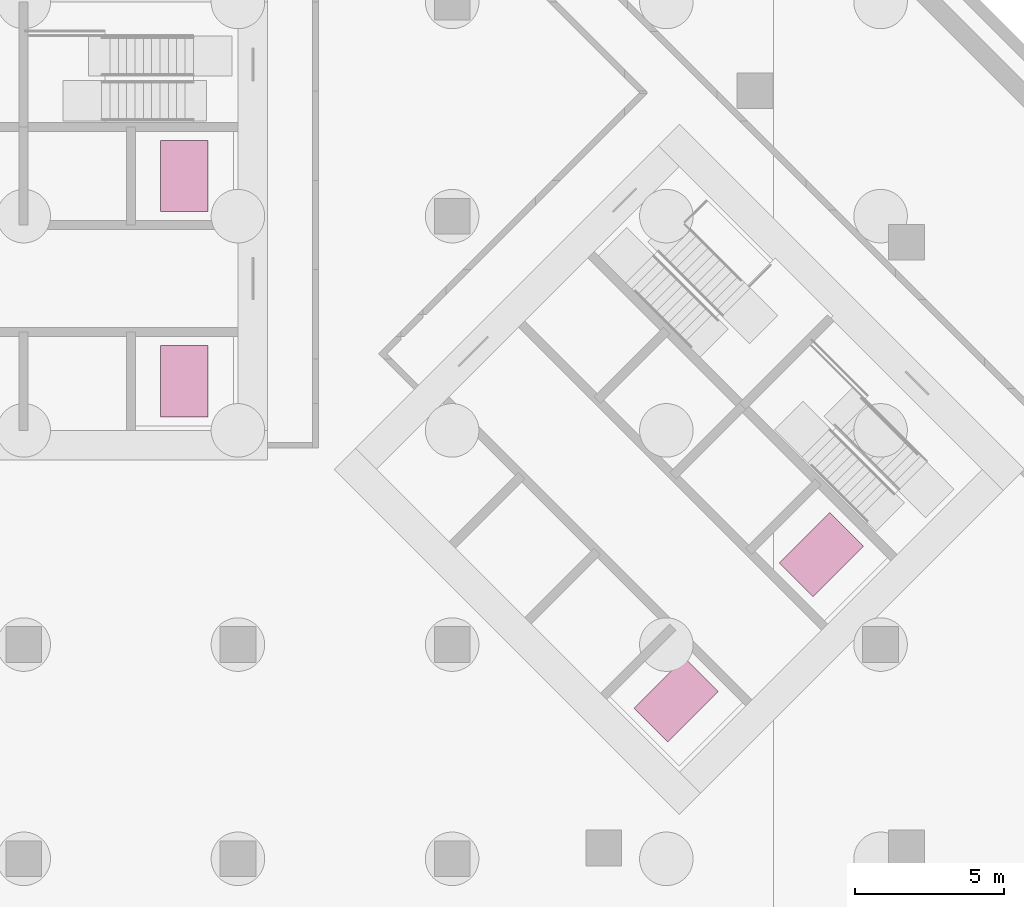
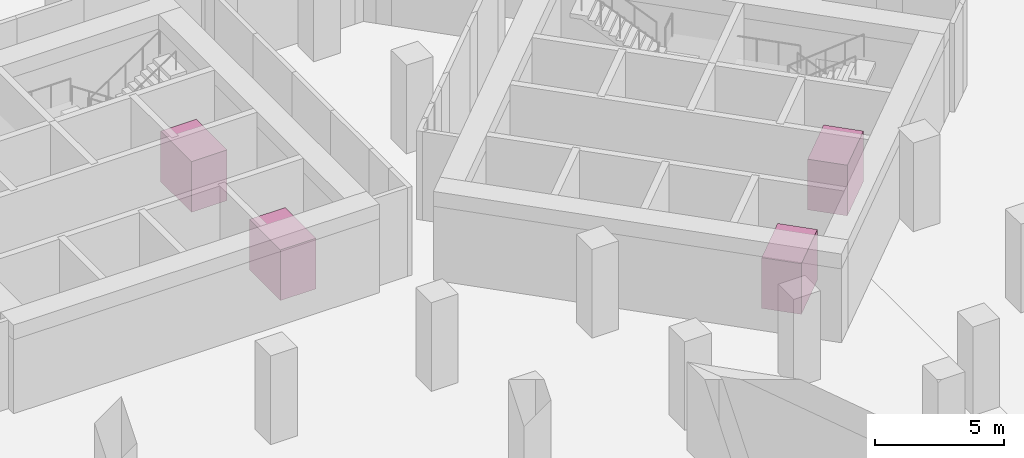
# One storey, part 12 of 12: 4 transport elements.
"""IFC4 building model written with IfcOpenShell, lengths in metres."""

from ifc_helpers import new_model, si_unit, direction, frame, origin, origin_2d, place, context, subcontext, project, spatial, rectangle, extrude, material, type_object, element, save


model = new_model("IFC4")

# Units and contexts
model_context = context("Model", 3, precision=1e-05, world=origin(), true_north=direction((0.0, 1.0)))
body_context = subcontext(model_context, "Body", "Model", "MODEL_VIEW")
ifc_project = project(units=[si_unit("LENGTHUNIT", "METRE"), si_unit("AREAUNIT", "SQUARE_METRE"), si_unit("VOLUMEUNIT", "CUBIC_METRE"), si_unit("PLANEANGLEUNIT", "RADIAN"), si_unit("MASSUNIT", "GRAM", prefix="KILO")], contexts=[model_context])

# Site, building, storey
site_placement = place(None, origin())
site = spatial("IfcSite", under=ifc_project, at=site_placement, CompositionType="ELEMENT")
building_placement = place(site_placement, origin())
building = spatial("IfcBuilding", under=site, at=building_placement, Name="Windrow Commons", CompositionType="ELEMENT")
storey_placement = place(building_placement, frame((0.0, 0.0, -9.0)))
storey = spatial("IfcBuildingStorey", under=building, at=storey_placement, Name="B2", CompositionType="ELEMENT", Elevation=-9.0)

# Transport elements
ifc_material_1 = material(Name="Stainless steel car", Category="steel")
transport_element_type_1 = type_object("IfcTransportElementType", Name="Lift car fire-fighting 1600", PredefinedType="ELEVATOR", material=ifc_material_1)
for number, where, z_axis, x_axis, name in (
    (1, (70.2, 52.05, 0.0), (0.0, 0.0, 1.0), (1.0, 0.0, 0.0), "Fire-fighting lift FL-W1"),
    (2, (86.7307, 41.3469, 0.0), (0.0, 0.0, 1.0), (0.7071067812, -0.7071067812, 0.0), "Fire-fighting lift FL-E1"),
):
    element("IfcTransportElement", number, at=place(storey_placement, frame(where, z_axis=z_axis, x_axis=x_axis)), inside=storey, type_object=transport_element_type_1, Name=name, PredefinedType="ELEVATOR", context=body_context, shape_type="SweptSolid", body=[
        extrude(rectangle(XDim=1.6, YDim=2.4, at=origin_2d()), origin(), (0.0, 0.0, 1.0), 2.4),
    ])
ifc_material_2 = material(Name="Stainless steel car", Category="steel")
transport_element_type_2 = type_object("IfcTransportElementType", Name="Lift car service 1600", PredefinedType="ELEVATOR", material=ifc_material_2)
for number, where, z_axis, x_axis, name in (
    (3, (70.2, 58.95, 0.0), (0.0, 0.0, 1.0), (1.0, 0.0, 0.0), "Service lift SV-W1"),
    (4, (91.6097, 46.226, 0.0), (0.0, 0.0, 1.0), (0.7071067812, -0.7071067812, 0.0), "Service lift SV-E1"),
):
    element("IfcTransportElement", number, at=place(storey_placement, frame(where, z_axis=z_axis, x_axis=x_axis)), inside=storey, type_object=transport_element_type_2, Name=name, PredefinedType="ELEVATOR", context=body_context, shape_type="SweptSolid", body=[
        extrude(rectangle(XDim=1.6, YDim=2.4, at=origin_2d()), origin(), (0.0, 0.0, 1.0), 2.4),
    ])

save(model, "model.ifc")
